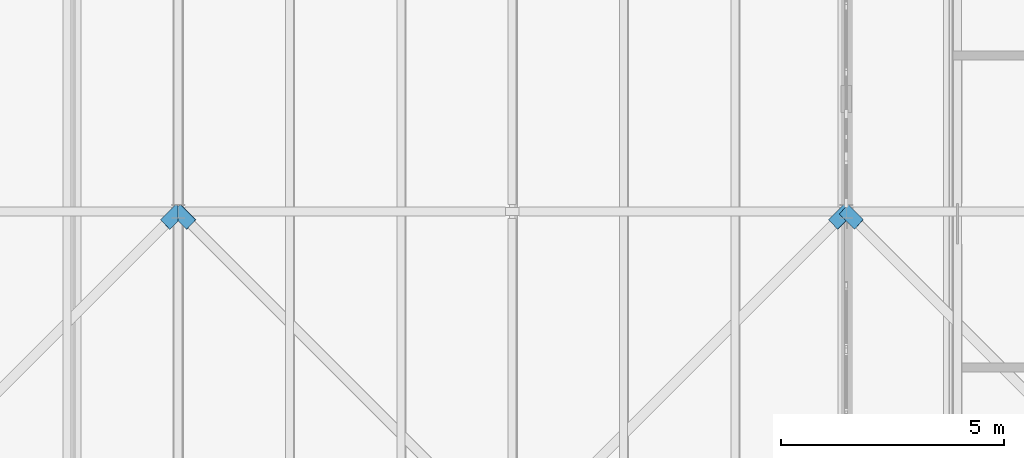
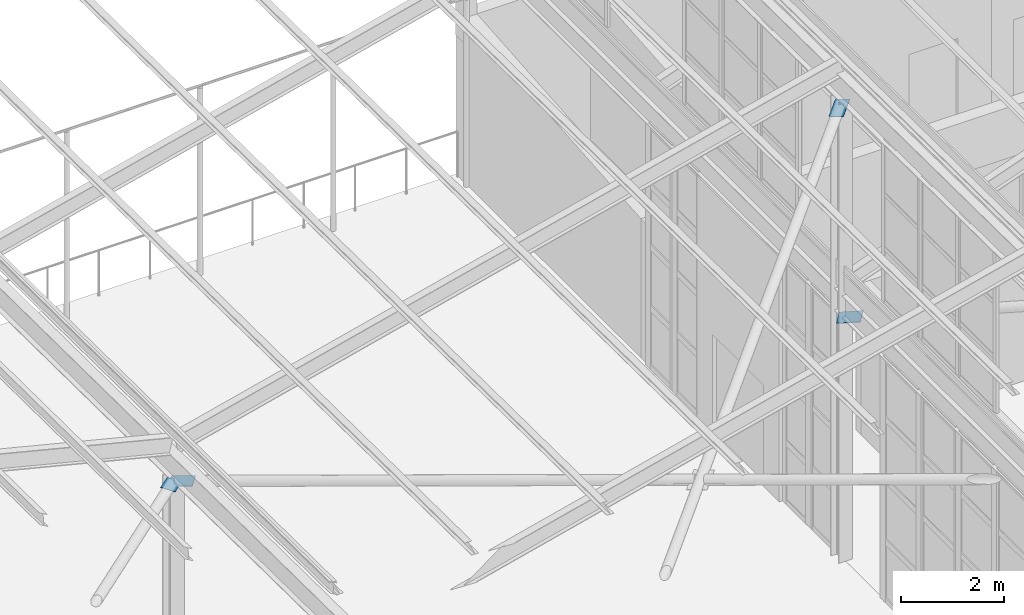
# One storey, part 434 of 483: 4 discrete accessories.
"""IFC4 building model written with IfcOpenShell, lengths in metres."""

from ifc_helpers import new_model, si_unit, direction, frame, origin, place, context, subcontext, project, spatial, polyline, outline, extrude, material, layer, layer_set, type_object, element, save


model = new_model("IFC4")

# Units and contexts
model_context = context("Model", 3, precision=1e-05, world=origin(), true_north=direction((0.0, 1.0)))
body_context = subcontext(model_context, "Body", "Model", "MODEL_VIEW")
ifc_project = project(units=[si_unit("LENGTHUNIT", "METRE"), si_unit("AREAUNIT", "SQUARE_METRE"), si_unit("VOLUMEUNIT", "CUBIC_METRE"), si_unit("PLANEANGLEUNIT", "RADIAN"), si_unit("MASSUNIT", "GRAM", prefix="KILO")], contexts=[model_context])

# Site, building, storey
site_placement = place(None, origin())
site = spatial("IfcSite", under=ifc_project, at=site_placement, CompositionType="ELEMENT")
building_placement = place(site_placement, origin())
building = spatial("IfcBuilding", under=site, at=building_placement, Name="Parallax Yard Mobility Hub", CompositionType="ELEMENT")
storey_placement = place(building_placement, frame((0.0, 0.0, 13.199951171875)))
storey = spatial("IfcBuildingStorey", under=building, at=storey_placement, Name="L04", CompositionType="ELEMENT", Elevation=13.199951171875)

# Discrete accessories
ifc_material = material(Name="Steel ASTM A36", Category="steel")
ifc_layer = layer(ifc_material, 0.011962890625)
ifc_layer_set = layer_set([ifc_layer], Name="Gusset plate PL12")
discrete_accessory_type = type_object("IfcDiscreteAccessoryType", Name="Gusset plate PL12", PredefinedType="BRACKET", material=ifc_layer_set)
discrete_accessory_1_placement = place(storey_placement, frame((112.309814453125, 37.10107421875, 7.112060546875), z_axis=(0.242586631281, 0.009570044541, 0.970082543174), x_axis=(0.695253425291, 0.695673525253, -0.180723603557)))
element("IfcDiscreteAccessory", 1, at=discrete_accessory_1_placement, inside=storey, type_object=discrete_accessory_type, Name="Gusset plate PL12 at end 2 of Roof X brace west wing bay 2 1", PredefinedType="BRACKET", context=body_context, shape_type="SweptSolid", body=[
    extrude(outline(polyline([(0.0, 0.0), (0.4990406746984735, -4.336808689942018e-17), (0.49917711731915465, 0.2989685446761357), (1.0824988421972298e-05, 0.29909415082477275), (0.0, 0.0)])), origin(), (0.0, 0.0, -1.0), 0.011962890625),
])
discrete_accessory_2_placement = place(storey_placement, frame((127.30859375, 37.1005859375, 10.7666015625), z_axis=(-0.242265477454, 0.009507928911, 0.970163407742), x_axis=(0.697375648552, 0.69690209538, 0.167316090862)))
element("IfcDiscreteAccessory", 2, at=discrete_accessory_2_placement, inside=storey, type_object=discrete_accessory_type, Name="Gusset plate PL12 at end 2 of Roof X brace east wing bay 2 1", PredefinedType="BRACKET", context=body_context, shape_type="SweptSolid", body=[
    extrude(outline(polyline([(0.0, 0.0), (0.4992102694889562, 2.0816681711721685e-17), (0.49917958612753294, 0.2992884231960571), (-3.056774785598591e-05, 0.2989486718946574), (0.0, 0.0)])), origin(), (0.0, 0.0, -1.0), 0.011962890625),
])
discrete_accessory_3_placement = place(storey_placement, frame((112.892578125, 37.31591796875, 7.160400390625), z_axis=(-0.242586631281, 0.009570044541, 0.970082543174), x_axis=(-0.695423654952, 0.695492757485, -0.180764389246)))
element("IfcDiscreteAccessory", 3, at=discrete_accessory_3_placement, inside=storey, type_object=discrete_accessory_type, Name="Gusset plate PL12 at end 1 of Roof X brace east wing bay 2 2 (half 1)", PredefinedType="BRACKET", context=body_context, shape_type="SweptSolid", body=[
    extrude(outline(polyline([(0.0, 0.0), (0.49916630813398755, 2.42861286636753e-17), (0.4991050955298454, 0.2989685695443124), (6.443663064938446e-05, 0.2990941440795739), (0.0, 0.0)])), origin(), (0.0, 0.0, -1.0), 0.011962890625),
])
discrete_accessory_4_placement = place(storey_placement, frame((127.883544921875, 37.32177734375, 5.82861328125), z_axis=(-0.339081149827, -0.000650633206, 0.940756902982), x_axis=(-0.685282867084, 0.685282813024, -0.246525573226)))
element("IfcDiscreteAccessory", 4, at=discrete_accessory_4_placement, inside=storey, type_object=discrete_accessory_type, Name="Gusset plate PL12 at end 1 of Roof X brace pavilion bay 2 2 (half 1)", PredefinedType="BRACKET", context=body_context, shape_type="SweptSolid", body=[
    extrude(outline(polyline([(0.0, 0.0), (0.4991238785981114, 2.0816681711721685e-17), (0.49887739873191944, 0.29912895874732987), (-7.917449191850029e-05, 0.2989511568033514), (0.0, 0.0)])), origin(), (0.0, 0.0, -1.0), 0.011962890625),
])

save(model, "model.ifc")
